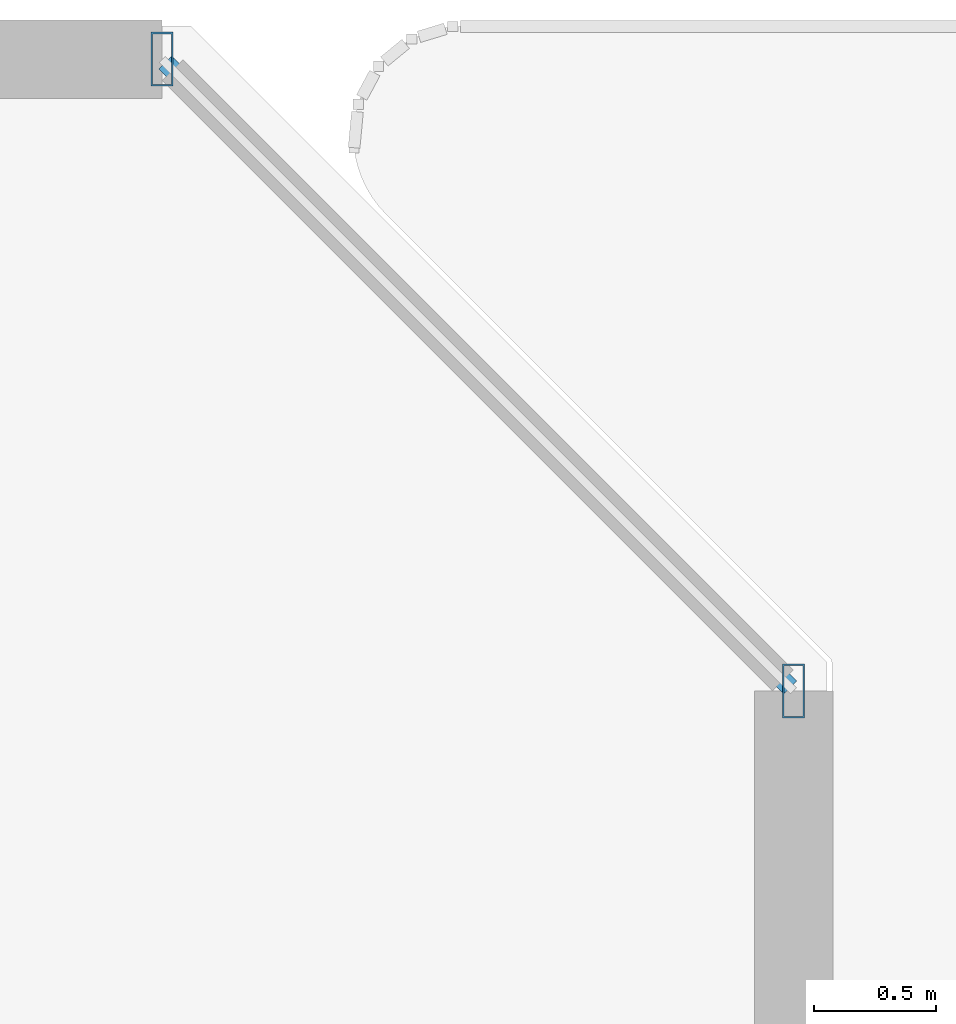
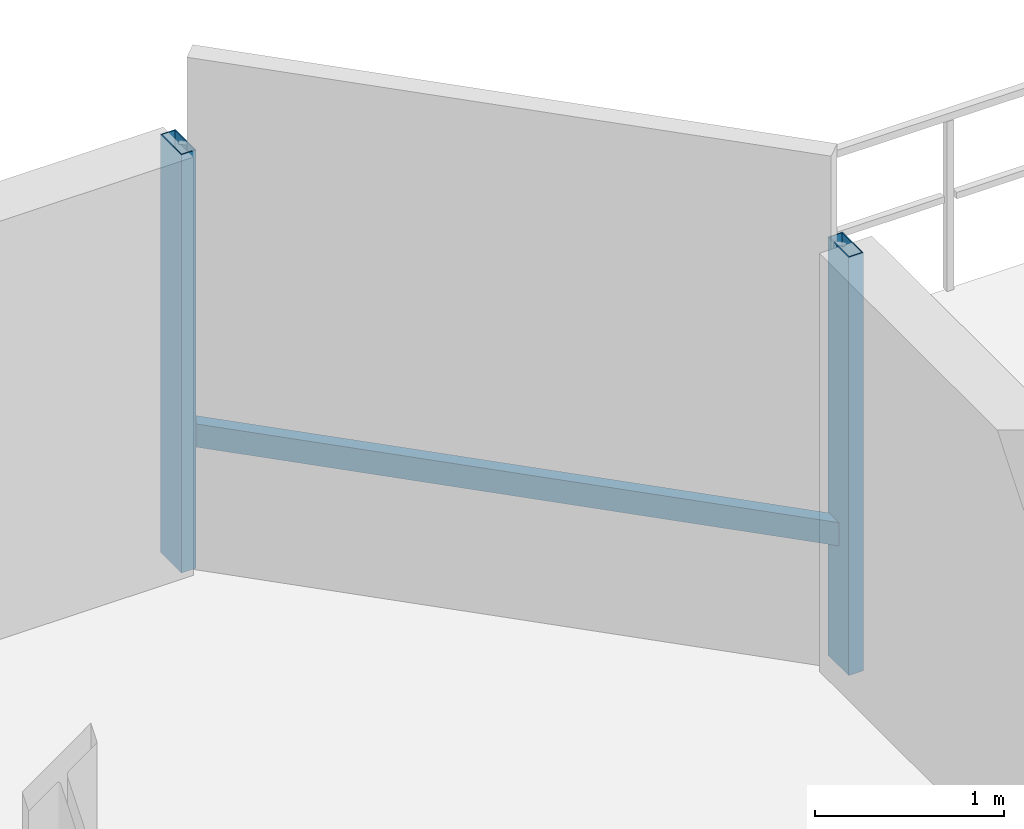
# One storey, part 10 of 33: 3 members, 1 element without a shape of its own.
"""IFC4 building model written with IfcOpenShell, lengths in metres."""

from ifc_helpers import new_model, si_unit, direction, frame, origin, origin_2d, place, context, subcontext, project, spatial, hollow_rectangle, extrude, material, material_profile, profile_set, type_object, element, aggregate, save


model = new_model("IFC4")

# Units and contexts
model_context = context("Model", 3, precision=1e-05, world=origin(), true_north=direction((0.0, 1.0)))
body_context = subcontext(model_context, "Body", "Model", "MODEL_VIEW")
ifc_project = project(units=[si_unit("LENGTHUNIT", "METRE"), si_unit("AREAUNIT", "SQUARE_METRE"), si_unit("VOLUMEUNIT", "CUBIC_METRE"), si_unit("PLANEANGLEUNIT", "RADIAN"), si_unit("MASSUNIT", "GRAM", prefix="KILO")], contexts=[model_context])

# Site, building, storey
site_placement = place(None, origin())
site = spatial("IfcSite", under=ifc_project, at=site_placement, CompositionType="ELEMENT")
building_placement = place(site_placement, origin())
building = spatial("IfcBuilding", under=site, at=building_placement, Name="Thornwick Lancets Civic Towers", CompositionType="ELEMENT")
storey_placement = place(building_placement, frame((0.0, 0.0, 98.10009765625)))
storey = spatial("IfcBuildingStorey", under=building, at=storey_placement, Name="L25", CompositionType="ELEMENT", Elevation=98.10009765625)

# Curtain wall, members
ifc_material_1 = material(Name="Low-zone chamfered-corner unitised glass curtain wall", Category="glass")
curtain_wall_type = type_object("IfcCurtainWallType", Name="CW_SYS_03", PredefinedType="NOTDEFINED", material=ifc_material_1)
curtain_wall_placement = place(storey_placement, origin())
curtain_wall = element("IfcCurtainWall", 1, at=curtain_wall_placement, inside=storey, type_object=curtain_wall_type, Name="L25 Curtain Wall CW-L25-A-E3", PredefinedType="NOTDEFINED")
ifc_material_2 = material(Name="Thermally broken bronze aluminium S355", Category="steel")
ifc_material_profile_1 = material_profile(ifc_material_2, hollow_rectangle(XDim=0.090087890625, YDim=0.219970703125, WallThickness=0.00634765625, at=origin_2d()), Name="RHS 220x90x6.3")
ifc_profile_set_1 = profile_set([ifc_material_profile_1], Name="Thermally broken bronze aluminium S355")
member_type_1 = type_object("IfcMemberType", Name="CW_MUL_220", PredefinedType="MULLION", material=ifc_profile_set_1)
member_1_placement = place(storey_placement, frame((43.464599609375, 48.38134765625, 0.0), z_axis=(0.0, 0.0, 1.0), x_axis=(1.0, 0.0, 0.0)))
member_1 = element("IfcMember", 2, at=member_1_placement, type_object=member_type_1, Name="CW-L25-A-E3 Mullion 0", PredefinedType="MULLION", context=body_context, shape_type="SweptSolid", body=[
    extrude(hollow_rectangle(XDim=0.090087890625, YDim=0.219970703125, WallThickness=0.00634765625, at=origin_2d()), origin(), (0.0, 0.0, 1.0), 2.699951171875),
])
member_2_placement = place(storey_placement, frame((40.88134765625, 50.964599609375, 0.0), z_axis=(0.0, 0.0, 1.0), x_axis=(1.0, 0.0, 0.0)))
member_2 = element("IfcMember", 3, at=member_2_placement, type_object=member_type_1, Name="CW-L25-A-E3 Mullion 1", PredefinedType="MULLION", context=body_context, shape_type="SweptSolid", body=[
    extrude(hollow_rectangle(XDim=0.090087890625, YDim=0.219970703125, WallThickness=0.00634765625, at=origin_2d()), origin(), (0.0, 0.0, 1.0), 2.699951171875),
])
ifc_material_profile_2 = material_profile(ifc_material_2, hollow_rectangle(XDim=0.074951171875, YDim=0.14990234375, WallThickness=0.0048828125, at=origin_2d()), Name="RHS 150x75x5")
ifc_profile_set_2 = profile_set([ifc_material_profile_2], Name="Thermally broken bronze aluminium S355")
member_type_2 = type_object("IfcMemberType", Name="CW_TRN_150", PredefinedType="USERDEFINED", material=ifc_profile_set_2)
member_3_placement = place(storey_placement, frame((43.45068359375, 48.3955078125, 0.849853515625), z_axis=(-0.707106781187, 0.707106781187, 0.0), x_axis=(-0.707106781187, -0.707106781187, 0.0)))
member_3 = element("IfcMember", 4, at=member_3_placement, type_object=member_type_2, Name="CW-L25-A-E3 Transom 0", ObjectType="TRANSOM", PredefinedType="USERDEFINED", context=body_context, shape_type="SweptSolid", body=[
    extrude(hollow_rectangle(XDim=0.074951171875, YDim=0.14990234375, WallThickness=0.0048828125, at=origin_2d()), origin(), (0.0, 0.0, 1.0), 3.613525390625),
])
aggregate(curtain_wall, [member_1, member_2, member_3])

save(model, "model.ifc")
